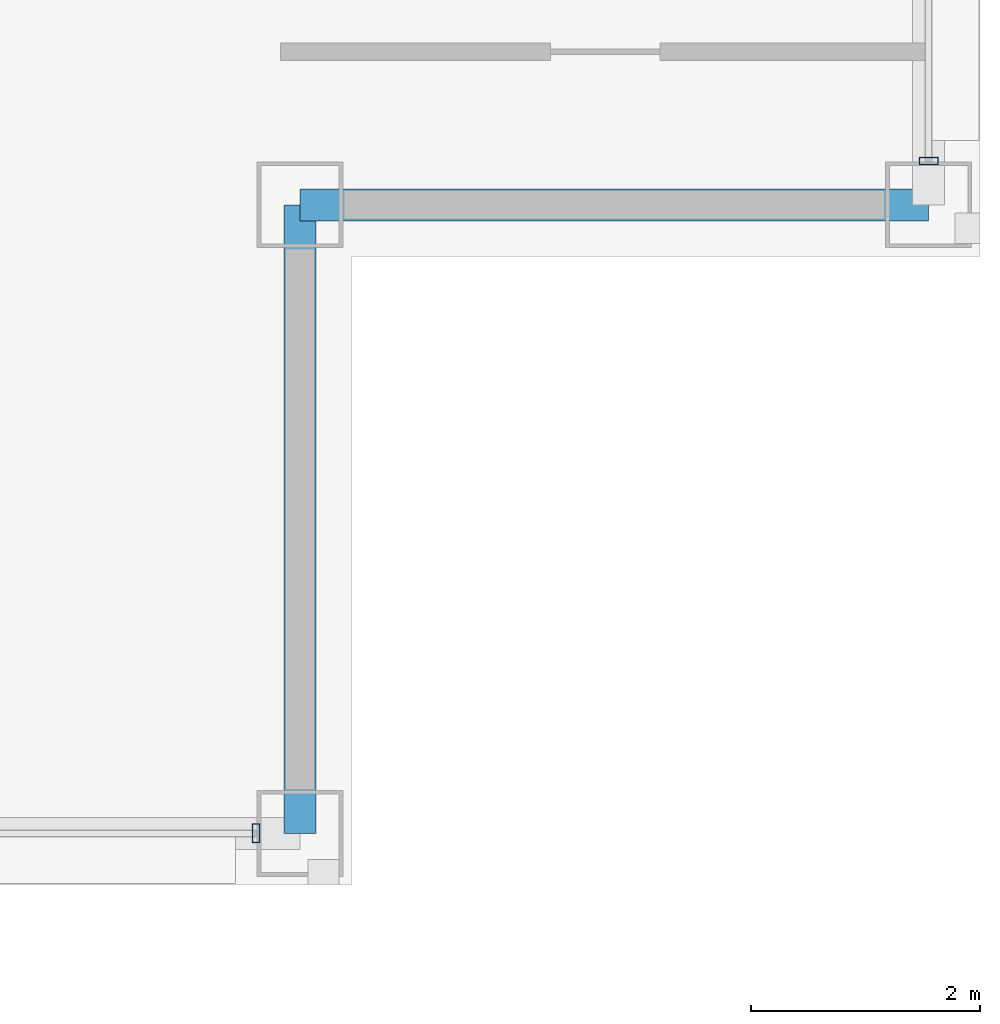
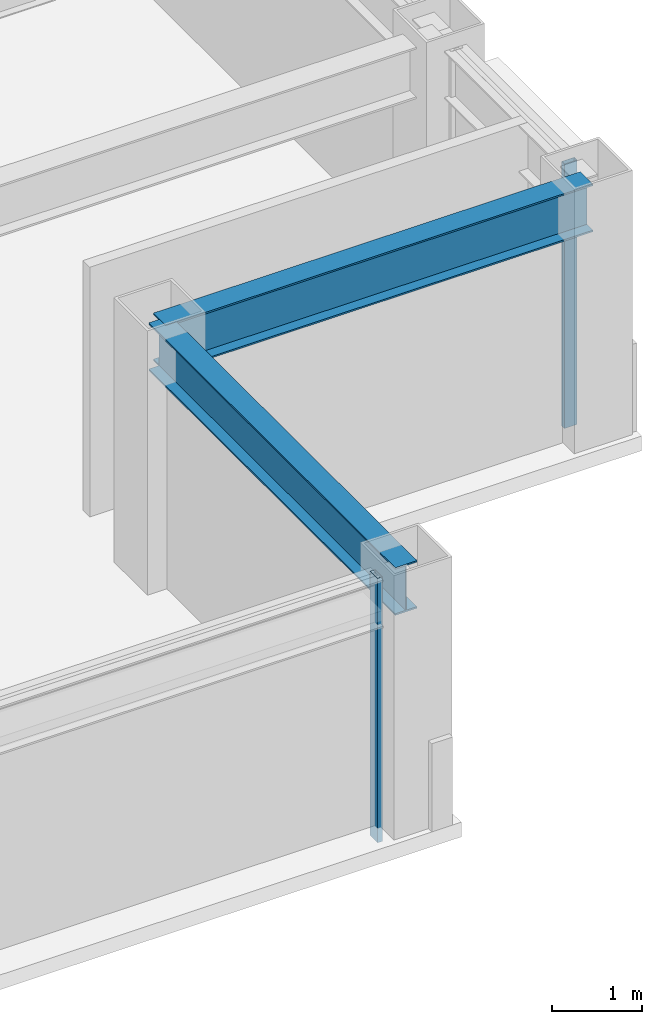
# One storey, part 11 of 27: 2 beams, 2 members, 2 elements without a shape of their own.
"""IFC4 building model written with IfcOpenShell, lengths in metres."""

import ifcopenshell
import ifcopenshell.guid

model = None  # the IFC model being written
_history = None  # IfcOwnerHistory: only IFC2X3 demands one
_inside = {}  # id of a spatial element -> (the spatial element, [elements in it])
_under = {}  # id of a project, library or spatial element -> (it, [spatial elements below it])
_declared = {}  # id of a project -> (the project, [libraries it declares])
_typed = {}  # id of a type object -> (the type object, [elements of that type])
_made_of = {}  # id of a material, layer set ... -> (it, [elements and type objects made of it])


def new_model(schema):
    """Start an empty IFC model of exactly this schema.

    Asked for "IFC4X3", IfcOpenShell would pick the latest addendum, in which some entities
    have other attributes; the version numbers below select the first issue.
    IFC2X3 requires an IfcOwnerHistory on every rooted entity: one is made here for all.
    """
    global model, _history
    if schema == "IFC4X3":
        model = ifcopenshell.file(schema_version=(4, 3, 0, 0))
    else:
        model = ifcopenshell.file(schema=schema)
    _inside.clear()
    _under.clear()
    _declared.clear()
    _typed.clear()
    _made_of.clear()
    _history = None
    if model.schema == "IFC2X3":
        org = make("IfcOrganization", Name="unknown")
        user = make(
            "IfcPersonAndOrganization",
            ThePerson=make("IfcPerson", FamilyName="unknown"),
            TheOrganization=org,
        )
        app = make(
            "IfcApplication",
            ApplicationDeveloper=org,
            Version="unknown",
            ApplicationFullName="unknown",
            ApplicationIdentifier="unknown",
        )
        _history = make(
            "IfcOwnerHistory",
            OwningUser=user,
            OwningApplication=app,
            ChangeAction="ADDED",
            CreationDate=0,
        )
    return model


def make(cls, **values):
    """One entity of the class cls with the attributes given. An attribute that is None is left unset."""
    return model.create_entity(
        cls, **{name: value for name, value in values.items() if value is not None}
    )


def rooted(cls, **values):
    """An entity with a GlobalId (a new one), such as an element, a storey or a relation."""
    return make(cls, GlobalId=ifcopenshell.guid.new(), OwnerHistory=_history, **values)


def si_unit(unit_type, name, prefix=None):
    """IfcSIUnit, for example si_unit("LENGTHUNIT", "METRE", prefix="MILLI")."""
    return make("IfcSIUnit", UnitType=unit_type, Prefix=prefix, Name=name)


def assignment(units):
    """IfcUnitAssignment: the units of a project."""
    return None if units is None else make("IfcUnitAssignment", Units=units)


def point(xyz):
    """IfcCartesianPoint."""
    return None if xyz is None else make("IfcCartesianPoint", Coordinates=xyz)


def direction(xyz):
    """IfcDirection."""
    return None if xyz is None else make("IfcDirection", DirectionRatios=xyz)


def frame(location, z_axis=None, x_axis=None):
    """IfcAxis2Placement3D, a coordinate frame: its origin and axes. An axis left out is left unset."""
    return make(
        "IfcAxis2Placement3D",
        Location=point(location),
        Axis=direction(z_axis),
        RefDirection=direction(x_axis),
    )


def frame_2d(location, x_axis=None):
    """IfcAxis2Placement2D, a coordinate frame in the plane: its origin and x axis."""
    return make(
        "IfcAxis2Placement2D", Location=point(location), RefDirection=direction(x_axis)
    )


def origin():
    """The frame at (0, 0, 0) with its axes left unset."""
    return frame((0.0, 0.0, 0.0))


def origin_2d():
    """The frame at (0, 0) in the plane with its x axis left unset."""
    return frame_2d((0.0, 0.0))


def place(relative_to, where):
    """IfcLocalPlacement: puts the frame where relative to a parent placement (None: the world)."""
    return make(
        "IfcLocalPlacement", PlacementRelTo=relative_to, RelativePlacement=where
    )


def context(
    kind, dimensions, precision=None, world=None, true_north=None, identifier=None
):
    """IfcGeometricRepresentationContext, for example the 3D "Model" context."""
    return make(
        "IfcGeometricRepresentationContext",
        ContextIdentifier=identifier,
        ContextType=kind,
        CoordinateSpaceDimension=dimensions,
        Precision=precision,
        WorldCoordinateSystem=world,
        TrueNorth=true_north,
    )


def subcontext(parent, identifier, kind, view, scale=None):
    """IfcGeometricRepresentationSubContext, for example "Body" below "Model"."""
    return make(
        "IfcGeometricRepresentationSubContext",
        ContextIdentifier=identifier,
        ContextType=kind,
        ParentContext=parent,
        TargetScale=scale,
        TargetView=view,
    )


def project(units=None, contexts=None):
    """IfcProject with its units and contexts."""
    return rooted(
        "IfcProject",
        Name="project",
        RepresentationContexts=contexts,
        UnitsInContext=assignment(units),
    )


def spatial(cls, under=None, at=None, **own):
    """A site, building, storey or space (cls), placed at a placement, below another one or the project."""
    s = rooted(cls, ObjectPlacement=at, **own)
    if under is not None:
        _under.setdefault(under.id(), (under, []))[1].append(s)
    return s


def profile(cls, at=None, kind="AREA", **sizes):
    """A parametric profile (cls). Its sizes go by their IFC names, for example OverallWidth=200.0."""
    return make(cls, ProfileType=kind, Position=at, **sizes)


def hollow_rectangle(**sizes):
    """IfcRectangleHollowProfileDef."""
    return profile("IfcRectangleHollowProfileDef", **sizes)


def i_section(**sizes):
    """IfcIShapeProfileDef."""
    return profile("IfcIShapeProfileDef", **sizes)


def extrude(swept, where, along, depth):
    """IfcExtrudedAreaSolid: the profile swept, set in the frame where, extruded along a direction by depth."""
    return make(
        "IfcExtrudedAreaSolid",
        SweptArea=swept,
        Position=where,
        ExtrudedDirection=direction(along),
        Depth=depth,
    )


def shape(context_of_items, identifier, shape_type, items):
    """IfcShapeRepresentation: the items that make up one representation, for example the "Body"."""
    return make(
        "IfcShapeRepresentation",
        ContextOfItems=context_of_items,
        RepresentationIdentifier=identifier,
        RepresentationType=shape_type,
        Items=items,
    )


def material(Name=None, Category=None):
    """IfcMaterial."""
    return make("IfcMaterial", Name=Name, Category=Category)


def layer(
    of_material, thickness, ventilated=None, Name=None, Category=None, Priority=None
):
    """IfcMaterialLayer: one layer of a wall or slab, of a material (None: an air gap)."""
    return make(
        "IfcMaterialLayer",
        Material=of_material,
        LayerThickness=thickness,
        IsVentilated=ventilated,
        Name=Name,
        Category=Category,
        Priority=Priority,
    )


def layer_set(layers, Name=None):
    """IfcMaterialLayerSet."""
    return make("IfcMaterialLayerSet", MaterialLayers=layers, LayerSetName=Name)


def material_profile(
    of_material, cross_section, Name=None, Category=None, Priority=None
):
    """IfcMaterialProfile: a cross section and its material."""
    return make(
        "IfcMaterialProfile",
        Name=Name,
        Material=of_material,
        Profile=cross_section,
        Priority=Priority,
        Category=Category,
    )


def profile_set(profiles, Name=None, composite=None):
    """IfcMaterialProfileSet."""
    return make(
        "IfcMaterialProfileSet",
        Name=Name,
        MaterialProfiles=profiles,
        CompositeProfile=composite,
    )


def made_of(thing, what):
    """Note that an element or type object is made of a material, layer set ...; save() writes the relation."""
    if what is not None:
        _made_of.setdefault(what.id(), (what, []))[1].append(thing)
    return thing


def type_object(cls, material=None, **own):
    """A type object (cls), such as IfcWallType, which elements share."""
    return made_of(rooted(cls, **own), material)


def element(
    cls,
    number,
    at=None,
    inside=None,
    cuts=None,
    type_object=None,
    material=None,
    context=None,
    identifier="Body",
    shape_type=None,
    held_by="IfcProductDefinitionShape",
    body=None,
    shapes=None,
    **own,
):
    """One element of the class cls, such as IfcWall. Its Tag is "e" and its number.

    at: its placement. inside: the storey or other place that contains it. cuts: it is an
    opening in that element (IfcRelVoidsElement). A single representation is given by context,
    identifier, shape_type and body (its items); several are given by shapes. held_by: the class
    of the entity that holds the representations. save() writes the other relations.
    """
    e = rooted(cls, Tag="e%d" % number, ObjectPlacement=at, **own)
    if body is not None:
        shapes = [shape(context, identifier, shape_type, body)]
    if shapes is not None:
        e.Representation = make(held_by, Representations=shapes)
    if inside is not None:
        _inside.setdefault(inside.id(), (inside, []))[1].append(e)
    if cuts is not None:
        rooted(
            "IfcRelVoidsElement", RelatingBuildingElement=cuts, RelatedOpeningElement=e
        )
    if type_object is not None:
        _typed.setdefault(type_object.id(), (type_object, []))[1].append(e)
    return made_of(e, material)


def aggregate(whole, parts):
    """IfcRelAggregates: a whole, such as a stair, and the parts it consists of."""
    return rooted("IfcRelAggregates", RelatingObject=whole, RelatedObjects=parts)


def save(model, path):
    """Write the relations noted so far, then the file.

    IfcRelAggregates (storeys below a building ...), IfcRelContainedInSpatialStructure (elements
    in a storey), IfcRelDefinesByType, IfcRelAssociatesMaterial and IfcRelDeclares: one each for
    every whole, place, type object, material and project.
    """
    for whole, parts in _under.values():
        aggregate(whole, parts)
    for where, things in _inside.values():
        rooted(
            "IfcRelContainedInSpatialStructure",
            RelatedElements=things,
            RelatingStructure=where,
        )
    for kind, things in _typed.values():
        rooted("IfcRelDefinesByType", RelatedObjects=things, RelatingType=kind)
    for what, things in _made_of.values():
        rooted("IfcRelAssociatesMaterial", RelatedObjects=things, RelatingMaterial=what)
    for by, libraries in _declared.values():
        rooted("IfcRelDeclares", RelatingContext=by, RelatedDefinitions=libraries)
    model.write(path)


model = new_model("IFC4")

# Units and contexts
model_context = context("Model", 3, precision=1e-05, world=origin(), true_north=direction((0.0, 1.0)))
body_context = subcontext(model_context, "Body", "Model", "MODEL_VIEW")
ifc_project = project(units=[si_unit("LENGTHUNIT", "METRE"), si_unit("AREAUNIT", "SQUARE_METRE"), si_unit("VOLUMEUNIT", "CUBIC_METRE"), si_unit("PLANEANGLEUNIT", "RADIAN"), si_unit("MASSUNIT", "GRAM", prefix="KILO")], contexts=[model_context])

# Site, building, storey
site_placement = place(None, origin())
site = spatial("IfcSite", under=ifc_project, at=site_placement, CompositionType="ELEMENT")
building_placement = place(site_placement, origin())
building = spatial("IfcBuilding", under=site, at=building_placement, Name="Brelmoor Portico Tower", CompositionType="ELEMENT")
storey_placement = place(building_placement, frame((0.0, 0.0, 158.699951171875)))
storey = spatial("IfcBuildingStorey", under=building, at=storey_placement, Name="L41", CompositionType="ELEMENT", Elevation=158.699951171875)

# Beams
ifc_material_1 = material(Name="Steel Q355B", Category="steel")
ifc_material_profile_1 = material_profile(ifc_material_1, i_section(OverallWidth=0.280029296875, OverallDepth=0.64990234375, WebThickness=0.012939453125, FlangeThickness=0.02197265625, at=origin_2d()), Name="HN 650x280x13x22")
ifc_profile_set_1 = profile_set([ifc_material_profile_1], Name="Steel Q355B")
beam_type = type_object("IfcBeamType", Name="BM-SP-650", PredefinedType="SPANDREL", material=ifc_profile_set_1)
for number, where, z_axis, x_axis, name in (
    (1, (15.050048828125, -13.050048828125, 3.074951171875), (1.0, 0.0, 0.0), (0.0, 1.0, 0.0), "L41 Perimeter Spandrel Beam SP-05"),
    (2, (15.050048828125, -18.550048828125, 3.074951171875), (0.0, 1.0, 0.0), (-1.0, 0.0, 0.0), "L41 Perimeter Spandrel Beam SP-16"),
):
    element("IfcBeam", number, at=place(storey_placement, frame(where, z_axis=z_axis, x_axis=x_axis)), inside=storey, type_object=beam_type, Name=name, PredefinedType="SPANDREL", context=body_context, shape_type="SweptSolid", body=[
        extrude(i_section(OverallWidth=0.280029296875, OverallDepth=0.64990234375, WebThickness=0.012939453125, FlangeThickness=0.02197265625, at=origin_2d()), origin(), (0.0, 0.0, 1.0), 5.5),
    ])

# Curtain wall, member
ifc_material_2 = material(Name="Anodised Aluminium Alloy 6063-T6", Category="aluminium")
ifc_layer = layer(ifc_material_2, 0.179931640625)
ifc_layer_set = layer_set([ifc_layer], Name="Anodised Aluminium Alloy 6063-T6")
curtain_wall_type = type_object("IfcCurtainWallType", Name="CW-TOWER-Z3-XB", PredefinedType="NOTDEFINED", material=ifc_layer_set)
curtain_wall_1_placement = place(storey_placement, origin())
curtain_wall_1 = element("IfcCurtainWall", 3, at=curtain_wall_1_placement, inside=storey, type_object=curtain_wall_type, Name="L41 Curtain Wall CW-L41-1R-2", PredefinedType="NOTDEFINED")
ifc_material_profile_2 = material_profile(ifc_material_2, hollow_rectangle(XDim=0.06494140625, YDim=0.1650390625, WallThickness=0.00390625, at=origin_2d()), Name="ALU MULLION 65x165")
ifc_profile_set_2 = profile_set([ifc_material_profile_2], Name="Anodised Aluminium Alloy 6063-T6")
member_type = type_object("IfcMemberType", Name="MB-CW-MULL-165", PredefinedType="MULLION", material=ifc_profile_set_2)
member_1_placement = place(storey_placement, frame((14.6650390625, -18.550048828125, -0.199951171875), z_axis=(0.0, 0.0, 1.0), x_axis=(1.0, 0.0, 0.0)))
member_1 = element("IfcMember", 4, at=member_1_placement, type_object=member_type, Name="CW-L41-1R-2 Mullion 01", PredefinedType="MULLION", context=body_context, shape_type="SweptSolid", body=[
    extrude(hollow_rectangle(XDim=0.06494140625, YDim=0.1650390625, WallThickness=0.00390625, at=origin_2d()), origin(), (0.0, 0.0, 1.0), 3.60009765625),
])
aggregate(curtain_wall_1, [member_1])

curtain_wall_2_placement = place(storey_placement, origin())
curtain_wall_2 = element("IfcCurtainWall", 5, at=curtain_wall_2_placement, inside=storey, type_object=curtain_wall_type, Name="L41 Curtain Wall CW-L41-04-1", PredefinedType="NOTDEFINED")
member_2_placement = place(storey_placement, frame((20.550048828125, -12.6650390625, -0.199951171875), z_axis=(0.0, 0.0, 1.0), x_axis=(0.0, 1.0, 0.0)))
member_2 = element("IfcMember", 6, at=member_2_placement, type_object=member_type, Name="CW-L41-04-1 Mullion 00", PredefinedType="MULLION", context=body_context, shape_type="SweptSolid", body=[
    extrude(hollow_rectangle(XDim=0.06494140625, YDim=0.1650390625, WallThickness=0.00390625, at=origin_2d()), origin(), (0.0, 0.0, 1.0), 3.60009765625),
])
aggregate(curtain_wall_2, [member_2])

save(model, "model.ifc")
